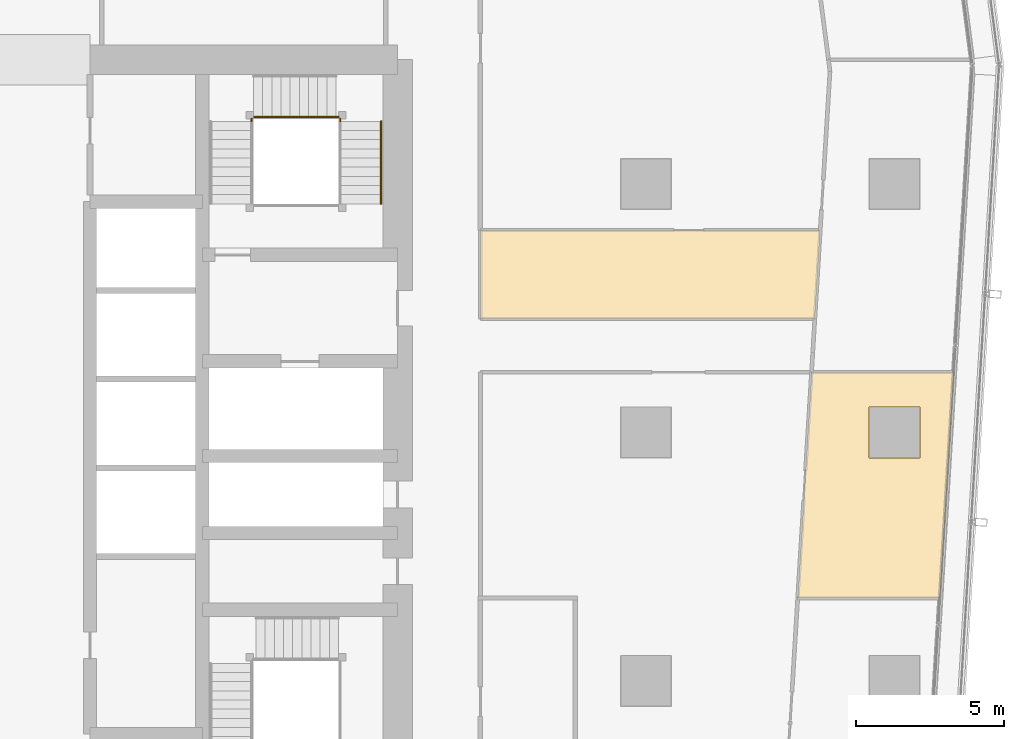
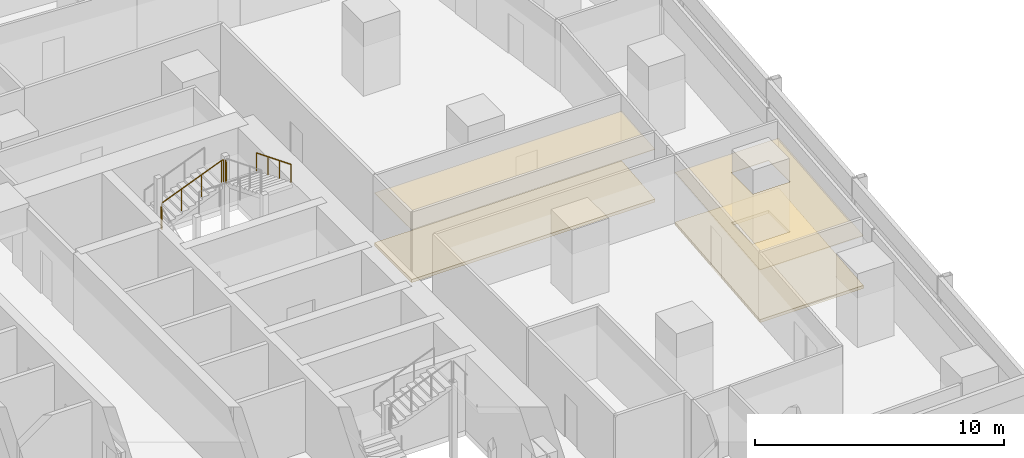
# One storey, part 37 of 38: 5 railings, 4 coverings.
"""IFC4 building model written with IfcOpenShell, lengths in metres."""

import ifcopenshell
import ifcopenshell.guid

model = None  # the IFC model being written
_history = None  # IfcOwnerHistory: only IFC2X3 demands one
_inside = {}  # id of a spatial element -> (the spatial element, [elements in it])
_under = {}  # id of a project, library or spatial element -> (it, [spatial elements below it])
_declared = {}  # id of a project -> (the project, [libraries it declares])
_typed = {}  # id of a type object -> (the type object, [elements of that type])
_made_of = {}  # id of a material, layer set ... -> (it, [elements and type objects made of it])


def new_model(schema):
    """Start an empty IFC model of exactly this schema.

    Asked for "IFC4X3", IfcOpenShell would pick the latest addendum, in which some entities
    have other attributes; the version numbers below select the first issue.
    IFC2X3 requires an IfcOwnerHistory on every rooted entity: one is made here for all.
    """
    global model, _history
    if schema == "IFC4X3":
        model = ifcopenshell.file(schema_version=(4, 3, 0, 0))
    else:
        model = ifcopenshell.file(schema=schema)
    _inside.clear()
    _under.clear()
    _declared.clear()
    _typed.clear()
    _made_of.clear()
    _history = None
    if model.schema == "IFC2X3":
        org = make("IfcOrganization", Name="unknown")
        user = make(
            "IfcPersonAndOrganization",
            ThePerson=make("IfcPerson", FamilyName="unknown"),
            TheOrganization=org,
        )
        app = make(
            "IfcApplication",
            ApplicationDeveloper=org,
            Version="unknown",
            ApplicationFullName="unknown",
            ApplicationIdentifier="unknown",
        )
        _history = make(
            "IfcOwnerHistory",
            OwningUser=user,
            OwningApplication=app,
            ChangeAction="ADDED",
            CreationDate=0,
        )
    return model


def make(cls, **values):
    """One entity of the class cls with the attributes given. An attribute that is None is left unset."""
    return model.create_entity(
        cls, **{name: value for name, value in values.items() if value is not None}
    )


def rooted(cls, **values):
    """An entity with a GlobalId (a new one), such as an element, a storey or a relation."""
    return make(cls, GlobalId=ifcopenshell.guid.new(), OwnerHistory=_history, **values)


def si_unit(unit_type, name, prefix=None):
    """IfcSIUnit, for example si_unit("LENGTHUNIT", "METRE", prefix="MILLI")."""
    return make("IfcSIUnit", UnitType=unit_type, Prefix=prefix, Name=name)


def assignment(units):
    """IfcUnitAssignment: the units of a project."""
    return None if units is None else make("IfcUnitAssignment", Units=units)


def point(xyz):
    """IfcCartesianPoint."""
    return None if xyz is None else make("IfcCartesianPoint", Coordinates=xyz)


def direction(xyz):
    """IfcDirection."""
    return None if xyz is None else make("IfcDirection", DirectionRatios=xyz)


def frame(location, z_axis=None, x_axis=None):
    """IfcAxis2Placement3D, a coordinate frame: its origin and axes. An axis left out is left unset."""
    return make(
        "IfcAxis2Placement3D",
        Location=point(location),
        Axis=direction(z_axis),
        RefDirection=direction(x_axis),
    )


def frame_2d(location, x_axis=None):
    """IfcAxis2Placement2D, a coordinate frame in the plane: its origin and x axis."""
    return make(
        "IfcAxis2Placement2D", Location=point(location), RefDirection=direction(x_axis)
    )


def origin():
    """The frame at (0, 0, 0) with its axes left unset."""
    return frame((0.0, 0.0, 0.0))


def origin_2d():
    """The frame at (0, 0) in the plane with its x axis left unset."""
    return frame_2d((0.0, 0.0))


def place(relative_to, where):
    """IfcLocalPlacement: puts the frame where relative to a parent placement (None: the world)."""
    return make(
        "IfcLocalPlacement", PlacementRelTo=relative_to, RelativePlacement=where
    )


def context(
    kind, dimensions, precision=None, world=None, true_north=None, identifier=None
):
    """IfcGeometricRepresentationContext, for example the 3D "Model" context."""
    return make(
        "IfcGeometricRepresentationContext",
        ContextIdentifier=identifier,
        ContextType=kind,
        CoordinateSpaceDimension=dimensions,
        Precision=precision,
        WorldCoordinateSystem=world,
        TrueNorth=true_north,
    )


def subcontext(parent, identifier, kind, view, scale=None):
    """IfcGeometricRepresentationSubContext, for example "Body" below "Model"."""
    return make(
        "IfcGeometricRepresentationSubContext",
        ContextIdentifier=identifier,
        ContextType=kind,
        ParentContext=parent,
        TargetScale=scale,
        TargetView=view,
    )


def project(units=None, contexts=None):
    """IfcProject with its units and contexts."""
    return rooted(
        "IfcProject",
        Name="project",
        RepresentationContexts=contexts,
        UnitsInContext=assignment(units),
    )


def spatial(cls, under=None, at=None, **own):
    """A site, building, storey or space (cls), placed at a placement, below another one or the project."""
    s = rooted(cls, ObjectPlacement=at, **own)
    if under is not None:
        _under.setdefault(under.id(), (under, []))[1].append(s)
    return s


def polyline(points):
    """IfcPolyline through the points."""
    return make("IfcPolyline", Points=[point(p) for p in points])


def profile(cls, at=None, kind="AREA", **sizes):
    """A parametric profile (cls). Its sizes go by their IFC names, for example OverallWidth=200.0."""
    return make(cls, ProfileType=kind, Position=at, **sizes)


def circle(**sizes):
    """IfcCircleProfileDef."""
    return profile("IfcCircleProfileDef", **sizes)


def outline(outer, holes=None, kind="AREA"):
    """IfcArbitraryClosedProfileDef: a profile drawn as a closed curve; with holes, ...WithVoids."""
    if holes is None:
        return make("IfcArbitraryClosedProfileDef", ProfileType=kind, OuterCurve=outer)
    return make(
        "IfcArbitraryProfileDefWithVoids",
        ProfileType=kind,
        OuterCurve=outer,
        InnerCurves=holes,
    )


def extrude(swept, where, along, depth):
    """IfcExtrudedAreaSolid: the profile swept, set in the frame where, extruded along a direction by depth."""
    return make(
        "IfcExtrudedAreaSolid",
        SweptArea=swept,
        Position=where,
        ExtrudedDirection=direction(along),
        Depth=depth,
    )


def shape(context_of_items, identifier, shape_type, items):
    """IfcShapeRepresentation: the items that make up one representation, for example the "Body"."""
    return make(
        "IfcShapeRepresentation",
        ContextOfItems=context_of_items,
        RepresentationIdentifier=identifier,
        RepresentationType=shape_type,
        Items=items,
    )


def material(Name=None, Category=None):
    """IfcMaterial."""
    return make("IfcMaterial", Name=Name, Category=Category)


def layer(
    of_material, thickness, ventilated=None, Name=None, Category=None, Priority=None
):
    """IfcMaterialLayer: one layer of a wall or slab, of a material (None: an air gap)."""
    return make(
        "IfcMaterialLayer",
        Material=of_material,
        LayerThickness=thickness,
        IsVentilated=ventilated,
        Name=Name,
        Category=Category,
        Priority=Priority,
    )


def layer_set(layers, Name=None):
    """IfcMaterialLayerSet."""
    return make("IfcMaterialLayerSet", MaterialLayers=layers, LayerSetName=Name)


def made_of(thing, what):
    """Note that an element or type object is made of a material, layer set ...; save() writes the relation."""
    if what is not None:
        _made_of.setdefault(what.id(), (what, []))[1].append(thing)
    return thing


def type_object(cls, material=None, **own):
    """A type object (cls), such as IfcWallType, which elements share."""
    return made_of(rooted(cls, **own), material)


def element(
    cls,
    number,
    at=None,
    inside=None,
    cuts=None,
    type_object=None,
    material=None,
    context=None,
    identifier="Body",
    shape_type=None,
    held_by="IfcProductDefinitionShape",
    body=None,
    shapes=None,
    **own,
):
    """One element of the class cls, such as IfcWall. Its Tag is "e" and its number.

    at: its placement. inside: the storey or other place that contains it. cuts: it is an
    opening in that element (IfcRelVoidsElement). A single representation is given by context,
    identifier, shape_type and body (its items); several are given by shapes. held_by: the class
    of the entity that holds the representations. save() writes the other relations.
    """
    e = rooted(cls, Tag="e%d" % number, ObjectPlacement=at, **own)
    if body is not None:
        shapes = [shape(context, identifier, shape_type, body)]
    if shapes is not None:
        e.Representation = make(held_by, Representations=shapes)
    if inside is not None:
        _inside.setdefault(inside.id(), (inside, []))[1].append(e)
    if cuts is not None:
        rooted(
            "IfcRelVoidsElement", RelatingBuildingElement=cuts, RelatedOpeningElement=e
        )
    if type_object is not None:
        _typed.setdefault(type_object.id(), (type_object, []))[1].append(e)
    return made_of(e, material)


def aggregate(whole, parts):
    """IfcRelAggregates: a whole, such as a stair, and the parts it consists of."""
    return rooted("IfcRelAggregates", RelatingObject=whole, RelatedObjects=parts)


def save(model, path):
    """Write the relations noted so far, then the file.

    IfcRelAggregates (storeys below a building ...), IfcRelContainedInSpatialStructure (elements
    in a storey), IfcRelDefinesByType, IfcRelAssociatesMaterial and IfcRelDeclares: one each for
    every whole, place, type object, material and project.
    """
    for whole, parts in _under.values():
        aggregate(whole, parts)
    for where, things in _inside.values():
        rooted(
            "IfcRelContainedInSpatialStructure",
            RelatedElements=things,
            RelatingStructure=where,
        )
    for kind, things in _typed.values():
        rooted("IfcRelDefinesByType", RelatedObjects=things, RelatingType=kind)
    for what, things in _made_of.values():
        rooted("IfcRelAssociatesMaterial", RelatedObjects=things, RelatingMaterial=what)
    for by, libraries in _declared.values():
        rooted("IfcRelDeclares", RelatingContext=by, RelatedDefinitions=libraries)
    model.write(path)


model = new_model("IFC4")

# Units and contexts
model_context = context("Model", 3, precision=1e-05, world=origin(), true_north=direction((0.0, 1.0)))
body_context = subcontext(model_context, "Body", "Model", "MODEL_VIEW")
ifc_project = project(units=[si_unit("LENGTHUNIT", "METRE"), si_unit("AREAUNIT", "SQUARE_METRE"), si_unit("VOLUMEUNIT", "CUBIC_METRE"), si_unit("PLANEANGLEUNIT", "RADIAN"), si_unit("MASSUNIT", "GRAM", prefix="KILO")], contexts=[model_context])

# Site, building, storey
site_placement = place(None, origin())
site = spatial("IfcSite", under=ifc_project, at=site_placement, CompositionType="ELEMENT")
building_placement = place(site_placement, origin())
building = spatial("IfcBuilding", under=site, at=building_placement, Name="Rekha Terrace Tower", CompositionType="ELEMENT")
storey_placement = place(building_placement, frame((0.0, 0.0, 114.050048828125)))
storey = spatial("IfcBuildingStorey", under=building, at=storey_placement, Name="L28", CompositionType="ELEMENT", Elevation=114.050048828125)

# Coverings
ifc_material_1 = material(Name="Mineral fibre tile in exposed grid", Category="finish")
ifc_layer_1 = layer(ifc_material_1, 0.02001953125)
ifc_layer_set_1 = layer_set([ifc_layer_1], Name="Mineral fibre tile in exposed grid")
covering_type_1 = type_object("IfcCoveringType", Name="CL1 600x1200 office grid ceiling", PredefinedType="CEILING", material=ifc_layer_set_1)
covering_1_placement = place(storey_placement, frame((0.0, 0.0, 2.579833984375)))
element("IfcCovering", 1, at=covering_1_placement, inside=storey, type_object=covering_type_1, Name="Ceiling L28-05", PredefinedType="CEILING", context=body_context, shape_type="SweptSolid", body=[
    extrude(outline(polyline([(63.926025390625, 27.9970703125), (68.735107421875, 27.9970703125), (69.202880859375, 35.633056640625), (64.39404296875, 35.633056640625), (63.926025390625, 27.9970703125)]), holes=[polyline([(68.06494140625, 34.465087890625), (68.06494140625, 32.735107421875), (66.3349609375, 32.735107421875), (66.3349609375, 34.465087890625), (68.06494140625, 34.465087890625)])]), origin(), (0.0, 0.0, 1.0), 0.02001953125),
])
covering_2_placement = place(storey_placement, frame((0.0, 0.0, 2.579833984375)))
element("IfcCovering", 2, at=covering_2_placement, inside=storey, type_object=covering_type_1, Name="Ceiling L28-12", PredefinedType="CEILING", context=body_context, shape_type="SweptSolid", body=[
    extrude(outline(polyline([(64.68798828125, 40.43310546875), (53.199951171875, 40.43310546875), (53.199951171875, 37.43701171875), (64.50390625, 37.43701171875), (64.68798828125, 40.43310546875)])), origin(), (0.0, 0.0, 1.0), 0.02001953125),
])

# Railings
ifc_material_2 = material(Name="Stainless steel balustrade", Category="steel")
railing_type_1 = type_object("IfcRailingType", Name="GR1 1100 stair guard", PredefinedType="GUARDRAIL", material=ifc_material_2)
railing_1_placement = place(storey_placement, frame((45.52490234375, 44.260009765625, 1.375)))
element("IfcRailing", 3, at=railing_1_placement, inside=storey, type_object=railing_type_1, Name="Guard ST2 L28 flight 2", PredefinedType="GUARDRAIL", context=body_context, shape_type="SweptSolid", body=[
    extrude(circle(Radius=0.02392578125, at=origin_2d()), frame((0.0, 0.0, 1.076171875), z_axis=(0.927443287984, 0.0, 0.373963831907), x_axis=(0.0, 1.0, 0.0)), (0.0, 0.0, 1.0), 3.00830078125),
    extrude(circle(Radius=0.02099609375, at=origin_2d()), origin(), (0.0, 0.0, 1.0), 1.052001953125),
    extrude(circle(Radius=0.02099609375, at=origin_2d()), frame((0.929931640625, 0.0, 0.375)), (0.0, 0.0, 1.0), 1.052001953125),
    extrude(circle(Radius=0.02099609375, at=origin_2d()), frame((1.860107421875, 0.0, 0.75)), (0.0, 0.0, 1.0), 1.052001953125),
    extrude(circle(Radius=0.02099609375, at=origin_2d()), frame((2.7900390625, 0.0, 1.125)), (0.0, 0.0, 1.0), 1.052001953125),
])
railing_2_placement = place(storey_placement, frame((45.465087890625, 44.114990234375, 1.25)))
element("IfcRailing", 4, at=railing_2_placement, inside=storey, type_object=railing_type_1, Name="Guard ST2 L28 landing 1", PredefinedType="GUARDRAIL", context=body_context, shape_type="SweptSolid", body=[
    extrude(circle(Radius=0.02392578125, at=origin_2d()), frame((0.0, 0.0, 1.076171875), z_axis=(0.0, 1.0, 0.0), x_axis=(-1.0, 0.0, 0.0)), (0.0, 0.0, 1.0), 0.0849609375),
    extrude(circle(Radius=0.02099609375, at=origin_2d()), origin(), (0.0, 0.0, 1.0), 1.052001953125),
    extrude(circle(Radius=0.02099609375, at=origin_2d()), frame((0.0, 0.0849609375, 0.0)), (0.0, 0.0, 1.0), 1.052001953125),
])
railing_3_placement = place(storey_placement, frame((48.31494140625, 44.260009765625, 2.5)))
element("IfcRailing", 5, at=railing_3_placement, inside=storey, type_object=railing_type_1, Name="Guard ST2 L28 landing 2", PredefinedType="GUARDRAIL", context=body_context, shape_type="SweptSolid", body=[
    extrude(circle(Radius=0.02392578125, at=origin_2d()), frame((0.0, 0.0, 1.076171875), z_axis=(1.0, 0.0, 0.0), x_axis=(0.0, 1.0, 0.0)), (0.0, 0.0, 1.0), 0.0849609375),
    extrude(circle(Radius=0.02099609375, at=origin_2d()), origin(), (0.0, 0.0, 1.0), 1.052001953125),
    extrude(circle(Radius=0.02099609375, at=origin_2d()), frame((0.0849609375, 0.0, 0.0)), (0.0, 0.0, 1.0), 1.052001953125),
])
railing_4_placement = place(storey_placement, frame((48.4599609375, 44.114990234375, 2.5)))
element("IfcRailing", 6, at=railing_4_placement, inside=storey, type_object=railing_type_1, Name="Guard ST2 L28 landing 3", PredefinedType="GUARDRAIL", context=body_context, shape_type="SweptSolid", body=[
    extrude(circle(Radius=0.02392578125, at=origin_2d()), frame((0.0, 0.0, 1.076171875), z_axis=(0.0, 1.0, 0.0), x_axis=(-1.0, 0.0, 0.0)), (0.0, 0.0, 1.0), 0.0849609375),
    extrude(circle(Radius=0.02099609375, at=origin_2d()), origin(), (0.0, 0.0, 1.0), 1.052001953125),
    extrude(circle(Radius=0.02099609375, at=origin_2d()), frame((0.0, 0.0849609375, 0.0)), (0.0, 0.0, 1.0), 1.052001953125),
])
ifc_material_3 = material(Name="Stainless steel tube", Category="steel")
railing_type_2 = type_object("IfcRailingType", Name="HR1 900 stair handrail", PredefinedType="HANDRAIL", material=ifc_material_3)
railing_5_placement = place(storey_placement, frame((49.840087890625, 44.114990234375, 2.625)))
element("IfcRailing", 7, at=railing_5_placement, inside=storey, type_object=railing_type_2, Name="Handrail ST2 L28 flight 3", PredefinedType="HANDRAIL", context=body_context, shape_type="SweptSolid", body=[
    extrude(circle(Radius=0.02392578125, at=origin_2d()), frame((0.0, 0.0, 0.8759765625), z_axis=(0.0, -0.927443287984, 0.373963831907), x_axis=(1.0, 0.0, 0.0)), (0.0, 0.0, 1.0), 3.00830078125),
    extrude(circle(Radius=0.02099609375, at=origin_2d()), origin(), (0.0, 0.0, 1.0), 0.851806640625),
    extrude(circle(Radius=0.02099609375, at=origin_2d()), frame((0.0, -0.929931640625, 0.375)), (0.0, 0.0, 1.0), 0.851806640625),
    extrude(circle(Radius=0.02099609375, at=origin_2d()), frame((0.0, -1.860107421875, 0.75)), (0.0, 0.0, 1.0), 0.851806640625),
    extrude(circle(Radius=0.02099609375, at=origin_2d()), frame((0.0, -2.7900390625, 1.125)), (0.0, 0.0, 1.0), 0.851806640625),
])

# Coverings
ifc_material_4 = material(Name="Calcium sulphate panels on steel pedestals", Category="steel")
ifc_layer_2 = layer(ifc_material_4, 0.14990234375)
ifc_layer_set_2 = layer_set([ifc_layer_2], Name="Calcium sulphate panels on steel pedestals")
covering_type_2 = type_object("IfcCoveringType", Name="RF1 150 raised access floor", PredefinedType="FLOORING", material=ifc_layer_set_2)
covering_3_placement = place(storey_placement, origin())
element("IfcCovering", 8, at=covering_3_placement, inside=storey, type_object=covering_type_2, Name="Raised floor L28-05", PredefinedType="FLOORING", context=body_context, shape_type="SweptSolid", body=[
    extrude(outline(polyline([(63.926025390625, 27.9970703125), (68.735107421875, 27.9970703125), (69.202880859375, 35.633056640625), (64.39404296875, 35.633056640625), (63.926025390625, 27.9970703125)]), holes=[polyline([(68.06494140625, 34.465087890625), (68.06494140625, 32.735107421875), (66.3349609375, 32.735107421875), (66.3349609375, 34.465087890625), (68.06494140625, 34.465087890625)])]), origin(), (0.0, 0.0, 1.0), 0.14990234375),
])
covering_4_placement = place(storey_placement, origin())
element("IfcCovering", 9, at=covering_4_placement, inside=storey, type_object=covering_type_2, Name="Raised floor L28-12", PredefinedType="FLOORING", context=body_context, shape_type="SweptSolid", body=[
    extrude(outline(polyline([(64.68798828125, 40.43310546875), (53.199951171875, 40.43310546875), (53.199951171875, 37.43701171875), (64.50390625, 37.43701171875), (64.68798828125, 40.43310546875)])), origin(), (0.0, 0.0, 1.0), 0.14990234375),
])

save(model, "model.ifc")
